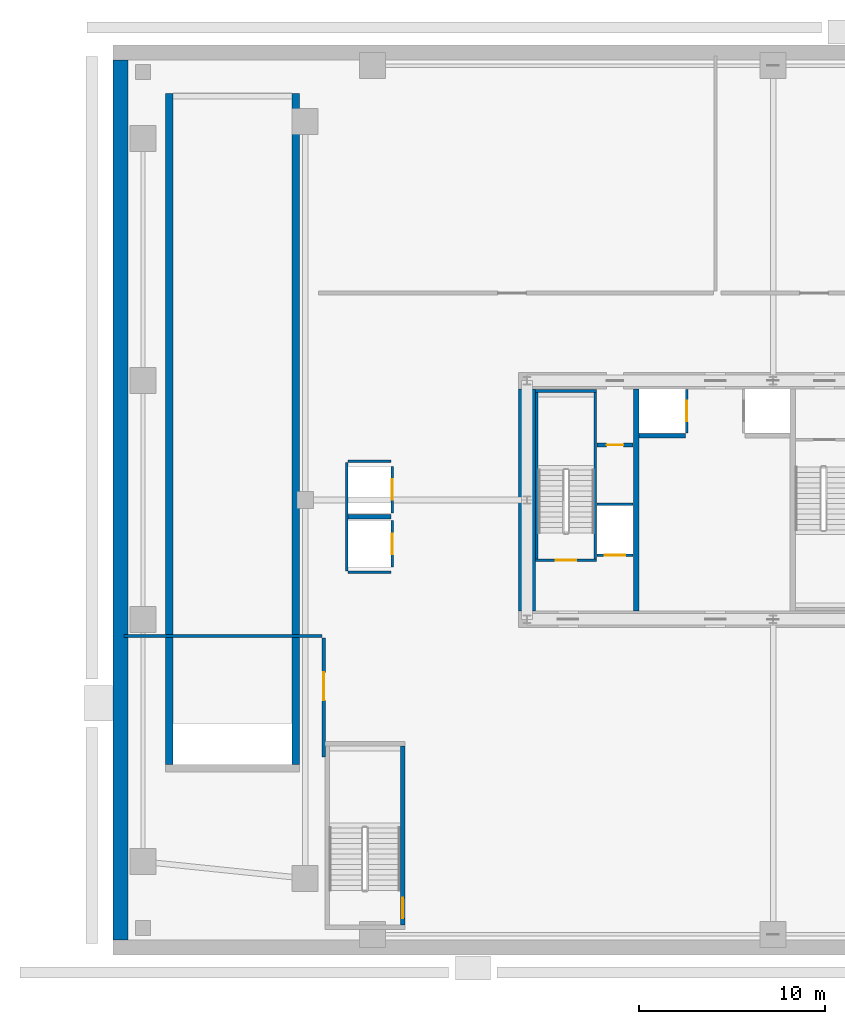
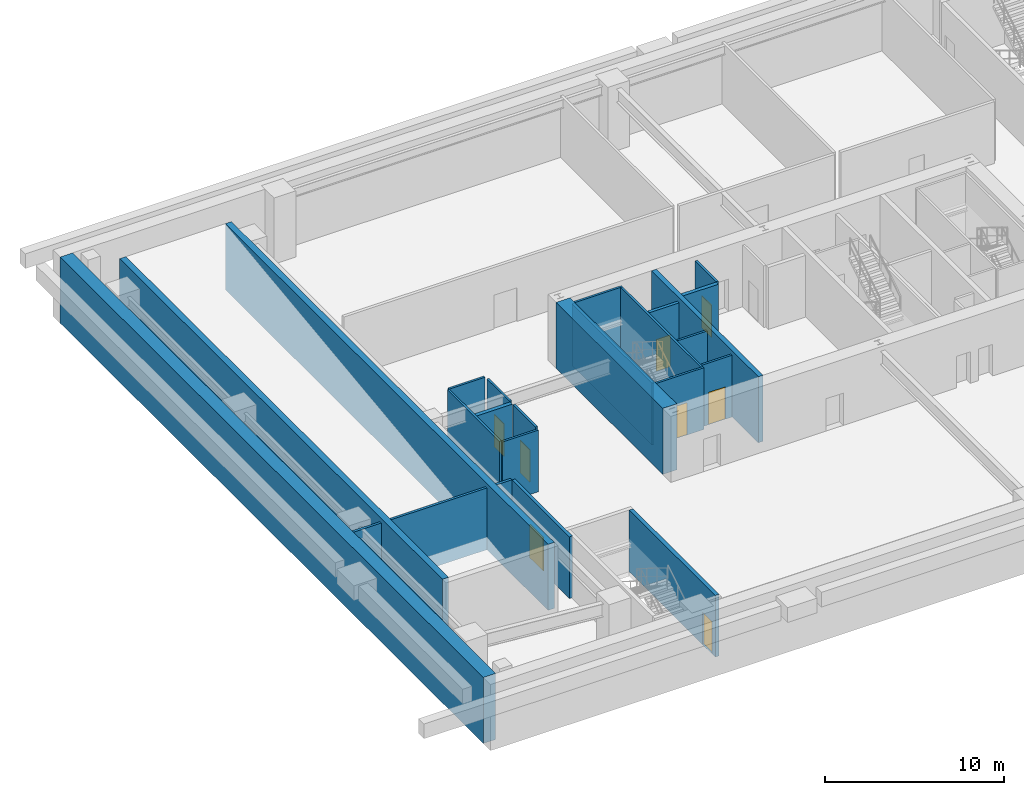
# One storey, part 4 of 9: 23 walls, 8 doors, 8 openings.
"""IFC4 building model written with IfcOpenShell, lengths in metres."""

from ifc_helpers import new_model, si_unit, direction, frame, frame_2d, origin, place, context, subcontext, project, spatial, rectangle, extrude, source, transform, mapped, material, layer, layer_set, type_object, element, fill, save


model = new_model("IFC4")

# Units and contexts
model_context = context("Model", 3, precision=1e-05, world=origin(), true_north=direction((0.0, 1.0)))
body_context = subcontext(model_context, "Body", "Model", "MODEL_VIEW")
ifc_project = project(units=[si_unit("LENGTHUNIT", "METRE"), si_unit("AREAUNIT", "SQUARE_METRE"), si_unit("VOLUMEUNIT", "CUBIC_METRE"), si_unit("PLANEANGLEUNIT", "RADIAN"), si_unit("MASSUNIT", "GRAM", prefix="KILO"), si_unit("THERMODYNAMICTEMPERATUREUNIT", "KELVIN"), si_unit("POWERUNIT", "WATT")], contexts=[model_context])

# Site, building, storey
site_placement = place(None, origin())
site = spatial("IfcSite", under=ifc_project, at=site_placement, CompositionType="ELEMENT")
building_placement = place(site_placement, origin())
building = spatial("IfcBuilding", under=site, at=building_placement, Name="Yuzanri Waterfront Tower", CompositionType="ELEMENT")
storey_placement = place(building_placement, frame((0.0, 0.0, -4.5)))
storey = spatial("IfcBuildingStorey", under=building, at=storey_placement, Name="B01", CompositionType="ELEMENT", Elevation=-4.5)

# Wall, opening, door
ifc_material_1 = material(Name="Concrete C40", Category="concrete")
ifc_layer_1 = layer(ifc_material_1, 0.139892578125)
ifc_layer_set_1 = layer_set([ifc_layer_1], Name="Concrete C40")
wall_type_1 = type_object("IfcWallType", Name="Core Stair Liner and Hoistway Shaft Wall 140", PredefinedType="SOLIDWALL", material=ifc_layer_set_1)
wall_1_placement = place(storey_placement, frame((27.56005859375, 22.830078125, 0.0), z_axis=(0.0, 0.0, 1.0), x_axis=(1.0, 0.0, 0.0)))
wall_1 = element("IfcWall", 1, at=wall_1_placement, inside=storey, type_object=wall_type_1, Name="B01 Lift FL-01 Front Shaft Wall", PredefinedType="SOLIDWALL", context=body_context, shape_type="SweptSolid", body=[
    extrude(rectangle(XDim=1.919921875, YDim=0.139892578125, at=frame_2d((0.9599609375, 0.0))), origin(), (0.0, 0.0, 1.0), 4.199951171875),
])
opening_1_placement = place(wall_1_placement, frame((0.409912109375, 0.0, 0.0)))
opening_1 = element("IfcOpeningElement", 2, at=opening_1_placement, cuts=wall_1, Name="Opening LD-FL-01", PredefinedType="OPENING", context=body_context, shape_type="SweptSolid", body=[
    extrude(rectangle(XDim=1.10009765625, YDim=2.199951171875, at=frame_2d((0.550048828125, 1.10009765625))), frame((0.0, 0.0849609375, 0.0), z_axis=(0.0, -1.0, 0.0), x_axis=(1.0, 0.0, 0.0)), (0.0, 0.0, 1.0), 0.169677734375),
])
ifc_material_2 = material(Name="Brushed Bronze and Stainless Steel Cab", Category="steel")
door_type_1 = type_object("IfcDoorType", Name="Center-Parting Bronze Lift Landing Sliding Door 1100x2200", OperationType="NOTDEFINED", PredefinedType="DOOR", material=ifc_material_2)
shared_shape_1 = source(origin(), body_context, "Body", "SweptSolid", [
    extrude(rectangle(XDim=1.10009765625, YDim=2.199951171875, at=frame_2d((0.550048828125, 1.10009765625))), frame((0.0, 0.02490234375, 0.0), z_axis=(0.0, -1.0, 0.0), x_axis=(1.0, 0.0, 0.0)), (0.0, 0.0, 1.0), 0.050048828125),
])
door_1_placement = place(opening_1_placement, origin())
door_1 = element("IfcDoor", 3, at=door_1_placement, inside=storey, type_object=door_type_1, Name="B01 FL-01 Lift Landing Sliding Door", OperationType="SLIDING_TO_LEFT", OverallHeight=2.199951171875, OverallWidth=1.10009765625, PredefinedType="DOOR", context=body_context, shape_type="MappedRepresentation", body=[
    mapped(shared_shape_1, transform((0.0, 0.0, 0.0), scale=1.0)),
])
fill(opening_1, door_1)

wall_2_placement = place(storey_placement, frame((32.3701171875, 29.39990234375, 0.0), z_axis=(0.0, 0.0, 1.0), x_axis=(0.0, 1.0, 0.0)))
wall_2 = element("IfcWall", 4, at=wall_2_placement, inside=storey, type_object=wall_type_1, Name="B01 Lift SL-01 Front Shaft Wall", PredefinedType="SOLIDWALL", context=body_context, shape_type="SweptSolid", body=[
    extrude(rectangle(XDim=2.340087890625, YDim=0.139892578125, at=frame_2d((1.169921875, 0.0))), origin(), (0.0, 0.0, 1.0), 4.199951171875),
])
opening_2_placement = place(wall_2_placement, frame((0.6201171875, 0.0, 0.0)))
opening_2 = element("IfcOpeningElement", 5, at=opening_2_placement, cuts=wall_2, Name="Opening LD-SL-01", PredefinedType="OPENING", context=body_context, shape_type="SweptSolid", body=[
    extrude(rectangle(XDim=1.10009765625, YDim=2.199951171875, at=frame_2d((0.550048828125, 1.10009765625))), frame((0.0, 0.0849609375, 0.0), z_axis=(0.0, -1.0, 0.0), x_axis=(1.0, 0.0, 0.0)), (0.0, 0.0, 1.0), 0.169677734375),
])
door_2_placement = place(opening_2_placement, origin())
door_2 = element("IfcDoor", 6, at=door_2_placement, inside=storey, type_object=door_type_1, Name="B01 SL-01 Lift Landing Sliding Door", OperationType="SLIDING_TO_LEFT", OverallHeight=2.199951171875, OverallWidth=1.10009765625, PredefinedType="DOOR", context=body_context, shape_type="MappedRepresentation", body=[
    mapped(shared_shape_1, transform((0.0, 0.0, 0.0), scale=1.0)),
])
fill(opening_2, door_2)

wall_3_placement = place(storey_placement, frame((16.570068359375, 22.199951171875, 0.0), z_axis=(0.0, 0.0, 1.0), x_axis=(0.0, 1.0, 0.0)))
wall_3 = element("IfcWall", 7, at=wall_3_placement, inside=storey, type_object=wall_type_1, Name="B01 Lift RL-01 Front Shaft Wall", PredefinedType="SOLIDWALL", context=body_context, shape_type="SweptSolid", body=[
    extrude(rectangle(XDim=2.5, YDim=0.139892578125, at=frame_2d((1.25, 0.0))), origin(), (0.0, 0.0, 1.0), 4.199951171875),
])
opening_3_placement = place(wall_3_placement, frame((0.699951171875, 0.0, 0.0)))
opening_3 = element("IfcOpeningElement", 8, at=opening_3_placement, cuts=wall_3, Name="Opening LD-RL-01", PredefinedType="OPENING", context=body_context, shape_type="SweptSolid", body=[
    extrude(rectangle(XDim=1.10009765625, YDim=2.199951171875, at=frame_2d((0.550048828125, 1.10009765625))), frame((0.0, 0.0849609375, 0.0), z_axis=(0.0, -1.0, 0.0), x_axis=(1.0, 0.0, 0.0)), (0.0, 0.0, 1.0), 0.169677734375),
])
door_3_placement = place(opening_3_placement, origin())
door_3 = element("IfcDoor", 9, at=door_3_placement, inside=storey, type_object=door_type_1, Name="B01 RL-01 Lift Landing Sliding Door", OperationType="SLIDING_TO_RIGHT", OverallHeight=2.199951171875, OverallWidth=1.10009765625, PredefinedType="DOOR", context=body_context, shape_type="MappedRepresentation", body=[
    mapped(shared_shape_1, transform((0.0, 0.0, 0.0), scale=1.0)),
])
fill(opening_3, door_3)

wall_4_placement = place(storey_placement, frame((16.570068359375, 25.10009765625, 0.0), z_axis=(0.0, 0.0, 1.0), x_axis=(0.0, 1.0, 0.0)))
wall_4 = element("IfcWall", 10, at=wall_4_placement, inside=storey, type_object=wall_type_1, Name="B01 Lift RL-02 Front Shaft Wall", PredefinedType="SOLIDWALL", context=body_context, shape_type="SweptSolid", body=[
    extrude(rectangle(XDim=2.5, YDim=0.139892578125, at=frame_2d((1.25, 0.0))), origin(), (0.0, 0.0, 1.0), 4.199951171875),
])
opening_4_placement = place(wall_4_placement, frame((0.699951171875, 0.0, 0.0)))
opening_4 = element("IfcOpeningElement", 11, at=opening_4_placement, cuts=wall_4, Name="Opening LD-RL-02", PredefinedType="OPENING", context=body_context, shape_type="SweptSolid", body=[
    extrude(rectangle(XDim=1.10009765625, YDim=2.199951171875, at=frame_2d((0.550048828125, 1.10009765625))), frame((0.0, 0.0849609375, 0.0), z_axis=(0.0, -1.0, 0.0), x_axis=(1.0, 0.0, 0.0)), (0.0, 0.0, 1.0), 0.169677734375),
])
door_4_placement = place(opening_4_placement, origin())
door_4 = element("IfcDoor", 12, at=door_4_placement, inside=storey, type_object=door_type_1, Name="B01 RL-02 Lift Landing Sliding Door", OperationType="SLIDING_TO_LEFT", OverallHeight=2.199951171875, OverallWidth=1.10009765625, PredefinedType="DOOR", context=body_context, shape_type="MappedRepresentation", body=[
    mapped(shared_shape_1, transform((0.0, 0.0, 0.0), scale=1.0)),
])
fill(opening_4, door_4)

wall_5_placement = place(storey_placement, frame((24.260009765625, 22.570068359375, 0.0), z_axis=(0.0, 0.0, 1.0), x_axis=(1.0, 0.0, 0.0)))
wall_5 = element("IfcWall", 13, at=wall_5_placement, inside=storey, type_object=wall_type_1, Name="B01 Shaft Wall STW-B01-ST-01-S", PredefinedType="SOLIDWALL", context=body_context, shape_type="SweptSolid", body=[
    extrude(rectangle(XDim=3.280029296875, YDim=0.139892578125, at=frame_2d((1.64013671875, 0.0))), origin(), (0.0, 0.0, 1.0), 4.199951171875),
])
opening_5_placement = place(wall_5_placement, frame((1.090087890625, 0.0, 0.0)))
opening_5 = element("IfcOpeningElement", 14, at=opening_5_placement, cuts=wall_5, Name="Opening FD-1100", PredefinedType="OPENING", context=body_context, shape_type="SweptSolid", body=[
    extrude(rectangle(XDim=1.10009765625, YDim=2.199951171875, at=frame_2d((0.550048828125, 1.10009765625))), frame((0.0, 0.0849609375, 0.0), z_axis=(0.0, -1.0, 0.0), x_axis=(1.0, 0.0, 0.0)), (0.0, 0.0, 1.0), 0.169677734375),
])
ifc_material_3 = material(Name="Painted Galvanized Fire Steel", Category="steel")
door_type_2 = type_object("IfcDoorType", Name="Smoke-Proof Stair and Lobby Fire Door 1100x2200", OperationType="NOTDEFINED", PredefinedType="DOOR", material=ifc_material_3)
shared_shape_2 = source(origin(), body_context, "Body", "SweptSolid", [
    extrude(rectangle(XDim=1.10009765625, YDim=2.199951171875, at=frame_2d((0.550048828125, 1.10009765625))), frame((0.0, 0.02490234375, 0.0), z_axis=(0.0, -1.0, 0.0), x_axis=(1.0, 0.0, 0.0)), (0.0, 0.0, 1.0), 0.050048828125),
])
door_5_placement = place(opening_5_placement, origin())
door_5 = element("IfcDoor", 15, at=door_5_placement, inside=storey, type_object=door_type_2, Name="B01 Stair ST-01 Fire Door", OperationType="SINGLE_SWING_RIGHT", OverallHeight=2.199951171875, OverallWidth=1.10009765625, PredefinedType="DOOR", context=body_context, shape_type="MappedRepresentation", body=[
    mapped(shared_shape_2, transform((0.0, 0.0, 0.0), scale=1.0)),
])
fill(opening_5, door_5)

ifc_material_4 = material(Name="Autoclaved Aerated Concrete Blockwork", Category="masonry")
ifc_layer_2 = layer(ifc_material_4, 0.199951171875)
ifc_layer_set_2 = layer_set([ifc_layer_2], Name="Autoclaved Aerated Concrete Blockwork")
wall_type_2 = type_object("IfcWallType", Name="Corridor and Unit Party Fire Wall 200", PredefinedType="PARTITIONING", material=ifc_layer_set_2)
wall_6_placement = place(storey_placement, frame((27.56005859375, 28.75, 0.0), z_axis=(0.0, 0.0, 1.0), x_axis=(1.0, 0.0, 0.0)))
wall_6 = element("IfcWall", 16, at=wall_6_placement, inside=storey, type_object=wall_type_2, Name="B01 Partition CRW-B01-ERTR", PredefinedType="PARTITIONING", context=body_context, shape_type="SweptSolid", body=[
    extrude(rectangle(XDim=1.919921875, YDim=0.199951171875, at=frame_2d((0.9599609375, 0.0))), origin(), (0.0, 0.0, 1.0), 4.199951171875),
])
opening_6_placement = place(wall_6_placement, frame((0.510009765625, 0.0, 0.0)))
opening_6 = element("IfcOpeningElement", 17, at=opening_6_placement, cuts=wall_6, Name="Opening FD-0900", PredefinedType="OPENING", context=body_context, shape_type="SweptSolid", body=[
    extrude(rectangle(XDim=0.89990234375, YDim=2.14990234375, at=frame_2d((0.449951171875, 1.074951171875))), frame((0.0, 0.11474609375, 0.0), z_axis=(0.0, -1.0, 0.0), x_axis=(1.0, 0.0, 0.0)), (0.0, 0.0, 1.0), 0.229736328125),
])
ifc_material_5 = material(Name="Painted Galvanized Fire Steel", Category="steel")
door_type_3 = type_object("IfcDoorType", Name="Riser and Service Room Fire Door 900x2150", OperationType="NOTDEFINED", PredefinedType="DOOR", material=ifc_material_5)
shared_shape_3 = source(origin(), body_context, "Body", "SweptSolid", [
    extrude(rectangle(XDim=0.89990234375, YDim=2.14990234375, at=frame_2d((0.449951171875, 1.074951171875))), frame((0.0, 0.02490234375, 0.0), z_axis=(0.0, -1.0, 0.0), x_axis=(1.0, 0.0, 0.0)), (0.0, 0.0, 1.0), 0.050048828125),
])
door_6_placement = place(opening_6_placement, origin())
door_6 = element("IfcDoor", 18, at=door_6_placement, inside=storey, type_object=door_type_3, Name="B01 Electrical Riser Door", OperationType="SINGLE_SWING_RIGHT", OverallHeight=2.14990234375, OverallWidth=0.89990234375, PredefinedType="DOOR", context=body_context, shape_type="MappedRepresentation", body=[
    mapped(shared_shape_3, transform((0.0, 0.0, 0.0), scale=1.0)),
])
fill(opening_6, door_6)

wall_7_placement = place(storey_placement, frame((12.89990234375, 12.0, 0.0), z_axis=(0.0, 0.0, 1.0), x_axis=(0.0, 1.0, 0.0)))
wall_7 = element("IfcWall", 19, at=wall_7_placement, inside=storey, type_object=wall_type_2, Name="B01 Partition PRW-B01-033-E", PredefinedType="PARTITIONING", context=body_context, shape_type="SweptSolid", body=[
    extrude(rectangle(XDim=6.39990234375, YDim=0.199951171875, at=frame_2d((3.199951171875, 0.0))), origin(), (0.0, 0.0, 1.0), 4.199951171875),
])
opening_7_placement = place(wall_7_placement, frame((3.050048828125, 0.0, 0.0)))
opening_7 = element("IfcOpeningElement", 20, at=opening_7_placement, cuts=wall_7, Name="Opening FD-1500", PredefinedType="OPENING", context=body_context, shape_type="SweptSolid", body=[
    extrude(rectangle(XDim=1.5, YDim=2.300048828125, at=frame_2d((0.75, 1.14990234375))), frame((0.0, 0.11474609375, 0.0), z_axis=(0.0, -1.0, 0.0), x_axis=(1.0, 0.0, 0.0)), (0.0, 0.0, 1.0), 0.229736328125),
])
ifc_material_6 = material(Name="Painted Galvanized Fire Steel", Category="steel")
door_type_4 = type_object("IfcDoorType", Name="Plant and Ballroom Double Fire Door 1500x2300", OperationType="NOTDEFINED", PredefinedType="DOOR", material=ifc_material_6)
shared_shape_4 = source(origin(), body_context, "Body", "SweptSolid", [
    extrude(rectangle(XDim=1.5, YDim=2.300048828125, at=frame_2d((0.75, 1.14990234375))), frame((0.0, 0.02490234375, 0.0), z_axis=(0.0, -1.0, 0.0), x_axis=(1.0, 0.0, 0.0)), (0.0, 0.0, 1.0), 0.050048828125),
])
door_7_placement = place(opening_7_placement, origin())
door_7 = element("IfcDoor", 21, at=door_7_placement, inside=storey, type_object=door_type_4, Name="B01 Sprinkler Tank and Booster Room", OperationType="DOUBLE_DOOR_SINGLE_SWING", OverallHeight=2.300048828125, OverallWidth=1.5, PredefinedType="DOOR", context=body_context, shape_type="MappedRepresentation", body=[
    mapped(shared_shape_4, transform((0.0, 0.0, 0.0), scale=1.0)),
])
fill(opening_7, door_7)

ifc_material_7 = material(Name="Concrete C40", Category="concrete")
ifc_layer_3 = layer(ifc_material_7, 0.25)
ifc_layer_set_3 = layer_set([ifc_layer_3], Name="Concrete C40")
wall_type_3 = type_object("IfcWallType", Name="Smoke-Proof Stair and Lift Shaft Wall 250", PredefinedType="SOLIDWALL", material=ifc_layer_set_3)
wall_8_placement = place(storey_placement, frame((17.125, 3.0, 0.0), z_axis=(0.0, 0.0, 1.0), x_axis=(0.0, 1.0, 0.0)))
wall_8 = element("IfcWall", 22, at=wall_8_placement, inside=storey, type_object=wall_type_3, Name="B01 Shaft Wall PSTW-B01-PST-01-E", PredefinedType="SOLIDWALL", context=body_context, shape_type="SweptSolid", body=[
    extrude(rectangle(XDim=9.60009765625, YDim=0.25, at=frame_2d((4.800048828125, 0.0))), origin(), (0.0, 0.0, 1.0), 4.199951171875),
])
opening_8_placement = place(wall_8_placement, frame((0.35009765625, 0.0, 0.0)))
opening_8 = element("IfcOpeningElement", 23, at=opening_8_placement, cuts=wall_8, Name="Opening FD-1100", PredefinedType="OPENING", context=body_context, shape_type="SweptSolid", body=[
    extrude(rectangle(XDim=1.10009765625, YDim=2.199951171875, at=frame_2d((0.550048828125, 1.10009765625))), frame((0.0, 0.139892578125, 0.0), z_axis=(0.0, -1.0, 0.0), x_axis=(1.0, 0.0, 0.0)), (0.0, 0.0, 1.0), 0.27978515625),
])
door_8_placement = place(opening_8_placement, origin())
door_8 = element("IfcDoor", 24, at=door_8_placement, inside=storey, type_object=door_type_2, Name="B01 PST-01 Stair Door", OperationType="SINGLE_SWING_LEFT", OverallHeight=2.199951171875, OverallWidth=1.10009765625, PredefinedType="DOOR", context=body_context, shape_type="MappedRepresentation", body=[
    mapped(shared_shape_2, transform((0.0, 0.0, 0.0), scale=1.0)),
])
fill(opening_8, door_8)

# Walls
ifc_material_8 = material(Name="Concrete C50", Category="concrete")
ifc_layer_4 = layer(ifc_material_8, 0.800048828125)
ifc_layer_set_4 = layer_set([ifc_layer_4], Name="Concrete C50")
wall_type_4 = type_object("IfcWallType", Name="Concrete C50 Basement Perimeter Waterproof Retaining Wall 800", PredefinedType="USERDEFINED", material=ifc_layer_set_4)
shared_shape_5 = source(origin(), body_context, "Body", "SweptSolid", [
    extrude(rectangle(XDim=47.199951171875, YDim=0.800048828125, at=frame_2d((23.60009765625, 0.0))), origin(), (0.0, 0.0, 1.0), 4.5),
])
wall_9_placement = place(storey_placement, frame((2.0, 2.199951171875, 0.0), z_axis=(0.0, 0.0, 1.0), x_axis=(0.0, 1.0, 0.0)))
element("IfcWall", 25, at=wall_9_placement, inside=storey, type_object=wall_type_4, Name="B01 West Retaining Wall", ObjectType="RETAININGWALL", PredefinedType="USERDEFINED", context=body_context, shape_type="MappedRepresentation", body=[
    mapped(shared_shape_5, transform((0.0, 0.0, 0.0), scale=1.0)),
])
ifc_material_9 = material(Name="Concrete C50", Category="concrete")
ifc_layer_5 = layer(ifc_material_9, 0.39990234375)
ifc_layer_set_5 = layer_set([ifc_layer_5], Name="Concrete C50")
wall_type_5 = type_object("IfcWallType", Name="Concrete C50 Car-Park Ramp Enclosure Structural Wall 400", PredefinedType="SOLIDWALL", material=ifc_layer_set_5)
shared_shape_6 = source(origin(), body_context, "Body", "SweptSolid", [
    extrude(rectangle(XDim=36.0, YDim=0.39990234375, at=frame_2d((18.0, 0.0))), origin(), (0.0, 0.0, 1.0), 4.5),
])
for number, where, z_axis, x_axis, name in (
    (26, (4.60009765625, 11.60009765625, 0.0), (0.0, 0.0, 1.0), (0.0, 1.0, 0.0), "B01 Ramp West Enclosure Wall"),
    (27, (11.39990234375, 11.60009765625, 0.0), (0.0, 0.0, 1.0), (0.0, 1.0, 0.0), "B01 Ramp East Enclosure Wall"),
):
    element("IfcWall", number, at=place(storey_placement, frame(where, z_axis=z_axis, x_axis=x_axis)), inside=storey, type_object=wall_type_5, Name=name, PredefinedType="SOLIDWALL", context=body_context, shape_type="MappedRepresentation", body=[
        mapped(shared_shape_6, transform((0.0, 0.0, 0.0), scale=1.0)),
    ])
ifc_material_10 = material(Name="Concrete C60", Category="concrete")
ifc_layer_6 = layer(ifc_material_10, 0.89990234375)
ifc_layer_set_6 = layer_set([ifc_layer_6], Name="Concrete C60")
wall_type_6 = type_object("IfcWallType", Name="Concrete C60 Lower Zone Core Shear Wall 900", PredefinedType="SHEAR", material=ifc_layer_set_6)
shared_shape_7 = source(origin(), body_context, "Body", "SweptSolid", [
    extrude(rectangle(XDim=11.89990234375, YDim=0.89990234375, at=frame_2d((5.949951171875, 0.0))), origin(), (0.0, 0.0, 1.0), 4.5),
])
wall_10_placement = place(storey_placement, frame((23.800048828125, 19.85009765625, 0.0), z_axis=(0.0, 0.0, 1.0), x_axis=(0.0, 1.0, 0.0)))
element("IfcWall", 28, at=wall_10_placement, inside=storey, type_object=wall_type_6, Name="B01 Core West Shear Wall", PredefinedType="SHEAR", context=body_context, shape_type="MappedRepresentation", body=[
    mapped(shared_shape_7, transform((0.0, 0.0, 0.0), scale=1.0)),
])
ifc_material_11 = material(Name="Concrete C50", Category="concrete")
ifc_layer_7 = layer(ifc_material_11, 0.300048828125)
ifc_layer_set_7 = layer_set([ifc_layer_7], Name="Concrete C50")
wall_type_7 = type_object("IfcWallType", Name="Concrete C50 Internal Core Shaft Structural Wall 300", PredefinedType="SOLIDWALL", material=ifc_layer_set_7)
shared_shape_8 = source(origin(), body_context, "Body", "SweptSolid", [
    extrude(rectangle(XDim=11.89990234375, YDim=0.300048828125, at=frame_2d((5.949951171875, 0.0))), origin(), (0.0, 0.0, 1.0), 4.5),
])
wall_11_placement = place(storey_placement, frame((29.64990234375, 19.85009765625, 0.0), z_axis=(0.0, 0.0, 1.0), x_axis=(0.0, 1.0, 0.0)))
element("IfcWall", 29, at=wall_11_placement, inside=storey, type_object=wall_type_7, Name="B01 Core Internal Structural Web Wall 1", PredefinedType="SOLIDWALL", context=body_context, shape_type="MappedRepresentation", body=[
    mapped(shared_shape_8, transform((0.0, 0.0, 0.0), scale=1.0)),
])
shared_shape_9 = source(origin(), body_context, "Body", "SweptSolid", [
    extrude(rectangle(XDim=1.919921875, YDim=0.139892578125, at=frame_2d((0.9599609375, 0.0))), origin(), (0.0, 0.0, 1.0), 4.199951171875),
])
wall_12_placement = place(storey_placement, frame((27.56005859375, 25.570068359375, 0.0), z_axis=(0.0, 0.0, 1.0), x_axis=(1.0, 0.0, 0.0)))
element("IfcWall", 30, at=wall_12_placement, inside=storey, type_object=wall_type_1, Name="B01 Lift FL-01 Back Shaft Wall", PredefinedType="SOLIDWALL", context=body_context, shape_type="MappedRepresentation", body=[
    mapped(shared_shape_9, transform((0.0, 0.0, 0.0), scale=1.0)),
])
shared_shape_10 = source(origin(), body_context, "Body", "SweptSolid", [
    extrude(rectangle(XDim=2.5, YDim=0.25, at=frame_2d((1.25, 0.0))), origin(), (0.0, 0.0, 1.0), 4.199951171875),
])
wall_13_placement = place(storey_placement, frame((29.800048828125, 29.25, 0.0), z_axis=(0.0, 0.0, 1.0), x_axis=(1.0, 0.0, 0.0)))
element("IfcWall", 31, at=wall_13_placement, inside=storey, type_object=wall_type_3, Name="B01 Lift SL-01 South Shaft Wall", PredefinedType="SOLIDWALL", context=body_context, shape_type="MappedRepresentation", body=[
    mapped(shared_shape_10, transform((0.0, 0.0, 0.0), scale=1.0)),
])
shared_shape_11 = source(origin(), body_context, "Body", "SweptSolid", [
    extrude(rectangle(XDim=2.300048828125, YDim=0.25, at=frame_2d((1.14990234375, 0.0))), origin(), (0.0, 0.0, 1.0), 4.199951171875),
])
wall_14_placement = place(storey_placement, frame((14.199951171875, 24.89990234375, 0.0), z_axis=(0.0, 0.0, 1.0), x_axis=(1.0, 0.0, 0.0)))
element("IfcWall", 32, at=wall_14_placement, inside=storey, type_object=wall_type_3, Name="B01 Lift RL-01 Divider Wall", PredefinedType="SOLIDWALL", context=body_context, shape_type="MappedRepresentation", body=[
    mapped(shared_shape_11, transform((0.0, 0.0, 0.0), scale=1.0)),
])
shared_shape_12 = source(origin(), body_context, "Body", "SweptSolid", [
    extrude(rectangle(XDim=5.800048828125, YDim=0.139892578125, at=frame_2d((2.89990234375, 0.0))), origin(), (0.0, 0.0, 1.0), 4.199951171875),
])
wall_15_placement = place(storey_placement, frame((14.1298828125, 22.0, 0.0), z_axis=(0.0, 0.0, 1.0), x_axis=(0.0, 1.0, 0.0)))
element("IfcWall", 33, at=wall_15_placement, inside=storey, type_object=wall_type_1, Name="B01 Retail Lift West Shaft Wall", PredefinedType="SOLIDWALL", context=body_context, shape_type="MappedRepresentation", body=[
    mapped(shared_shape_12, transform((0.0, 0.0, 0.0), scale=1.0)),
])
shared_shape_13 = source(origin(), body_context, "Body", "SweptSolid", [
    extrude(rectangle(XDim=2.300048828125, YDim=0.139892578125, at=frame_2d((1.14990234375, 0.0))), origin(), (0.0, 0.0, 1.0), 4.199951171875),
])
for number, where, z_axis, x_axis, name in (
    (34, (14.199951171875, 21.929931640625, 0.0), (0.0, 0.0, 1.0), (1.0, 0.0, 0.0), "B01 Retail Lift South Shaft Wall"),
    (35, (14.199951171875, 27.8701171875, 0.0), (0.0, 0.0, 1.0), (1.0, 0.0, 0.0), "B01 Retail Lift North Shaft Wall"),
):
    element("IfcWall", number, at=place(storey_placement, frame(where, z_axis=z_axis, x_axis=x_axis)), inside=storey, type_object=wall_type_1, Name=name, PredefinedType="SOLIDWALL", context=body_context, shape_type="MappedRepresentation", body=[
        mapped(shared_shape_13, transform((0.0, 0.0, 0.0), scale=1.0)),
    ])
shared_shape_14 = source(origin(), body_context, "Body", "SweptSolid", [
    extrude(rectangle(XDim=3.280029296875, YDim=0.139892578125, at=frame_2d((1.64013671875, 0.0))), origin(), (0.0, 0.0, 1.0), 4.199951171875),
])
wall_16_placement = place(storey_placement, frame((24.260009765625, 31.64990234375, 0.0), z_axis=(0.0, 0.0, 1.0), x_axis=(1.0, 0.0, 0.0)))
element("IfcWall", 36, at=wall_16_placement, inside=storey, type_object=wall_type_1, Name="B01 Stair ST-01 North Shaft Wall", PredefinedType="SOLIDWALL", context=body_context, shape_type="MappedRepresentation", body=[
    mapped(shared_shape_14, transform((0.0, 0.0, 0.0), scale=1.0)),
])
shared_shape_15 = source(origin(), body_context, "Body", "SweptSolid", [
    extrude(rectangle(XDim=8.940185546875, YDim=0.139892578125, at=frame_2d((4.47021484375, 0.0))), origin(), (0.0, 0.0, 1.0), 4.199951171875),
])
for number, where, z_axis, x_axis, name in (
    (37, (24.330078125, 22.639892578125, 0.0), (0.0, 0.0, 1.0), (0.0, 1.0, 0.0), "B01 Stair ST-01 West Shaft Wall"),
    (38, (27.469970703125, 22.639892578125, 0.0), (0.0, 0.0, 1.0), (0.0, 1.0, 0.0), "B01 Stair ST-01 East Shaft Wall"),
):
    element("IfcWall", number, at=place(storey_placement, frame(where, z_axis=z_axis, x_axis=x_axis)), inside=storey, type_object=wall_type_1, Name=name, PredefinedType="SOLIDWALL", context=body_context, shape_type="MappedRepresentation", body=[
        mapped(shared_shape_15, transform((0.0, 0.0, 0.0), scale=1.0)),
    ])
ifc_material_12 = material(Name="Gypsum Fireboard Acoustic Stud Wall", Category="gypsum")
ifc_layer_8 = layer(ifc_material_12, 0.159912109375)
ifc_layer_set_8 = layer_set([ifc_layer_8], Name="Gypsum Fireboard Acoustic Stud Wall")
wall_type_8 = type_object("IfcWallType", Name="Acoustic Suite Demising Partition 160", PredefinedType="PARTITIONING", material=ifc_layer_set_8)
shared_shape_16 = source(origin(), body_context, "Body", "SweptSolid", [
    extrude(rectangle(XDim=10.6201171875, YDim=0.159912109375, at=frame_2d((5.31005859375, 0.0))), origin(), (0.0, 0.0, 1.0), 4.199951171875),
])
wall_17_placement = place(storey_placement, frame((2.179931640625, 18.5, 0.0), z_axis=(0.0, 0.0, 1.0), x_axis=(1.0, 0.0, 0.0)))
element("IfcWall", 39, at=wall_17_placement, inside=storey, type_object=wall_type_8, Name="B01-033 North Partition", PredefinedType="PARTITIONING", context=body_context, shape_type="MappedRepresentation", body=[
    mapped(shared_shape_16, transform((0.0, 0.0, 0.0), scale=1.0)),
])

save(model, "model.ifc")
